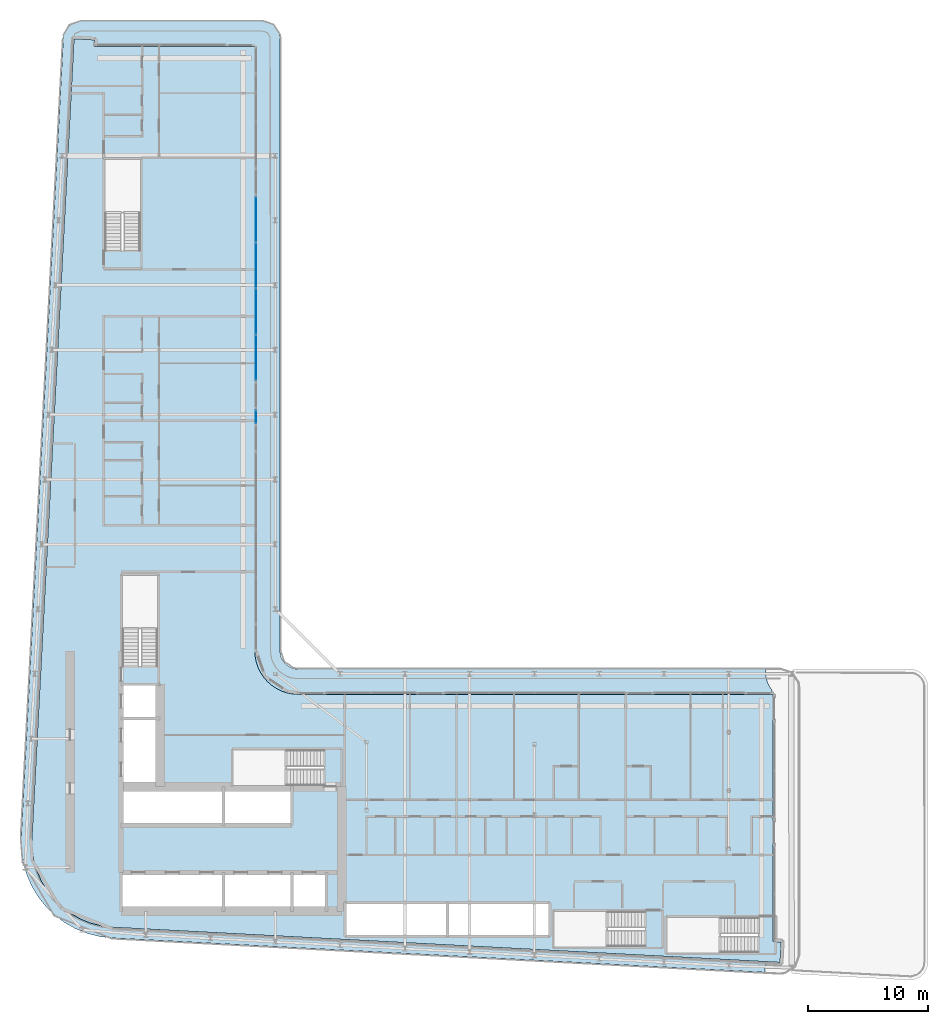
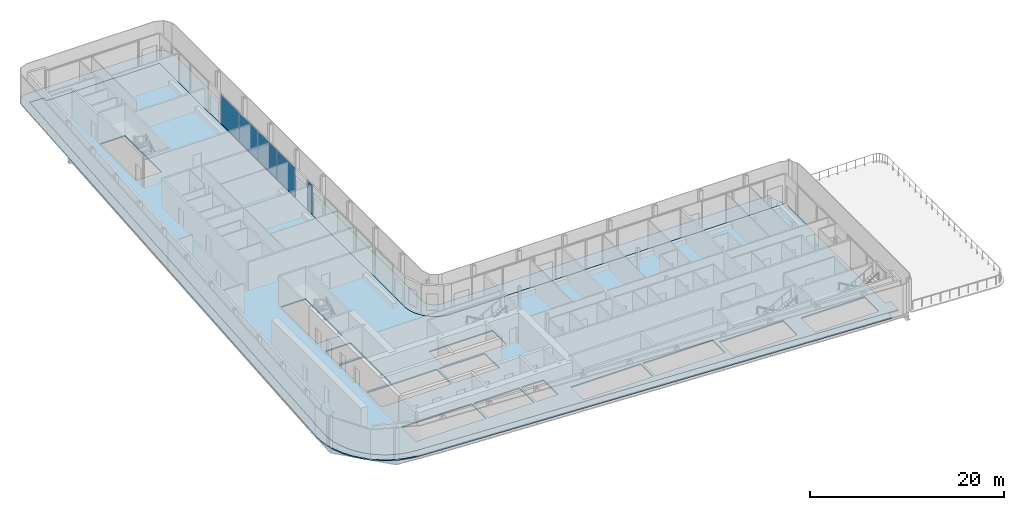
# One storey, part 11 of 27: 5 plates, 2 slabs, 3 elements without a shape of their own.
"""IFC4 building model written with IfcOpenShell, lengths in metres."""

from ifc_helpers import new_model, si_unit, direction, frame, origin, origin_2d, place, context, subcontext, project, spatial, polyline, rectangle, outline, extrude, material, layer, layer_set, type_object, element, aggregate, save


model = new_model("IFC4")

# Units and contexts
model_context = context("Model", 3, precision=1e-05, world=origin(), true_north=direction((0.0, 1.0)))
body_context = subcontext(model_context, "Body", "Model", "MODEL_VIEW")
ifc_project = project(units=[si_unit("LENGTHUNIT", "METRE"), si_unit("AREAUNIT", "SQUARE_METRE"), si_unit("VOLUMEUNIT", "CUBIC_METRE"), si_unit("PLANEANGLEUNIT", "RADIAN"), si_unit("MASSUNIT", "GRAM", prefix="KILO")], contexts=[model_context])

# Site, building, storey
site_placement = place(None, origin())
site = spatial("IfcSite", under=ifc_project, at=site_placement, CompositionType="ELEMENT")
building_placement = place(site_placement, origin())
building = spatial("IfcBuilding", under=site, at=building_placement, Name="Kheshtan School and Residences Tower", CompositionType="ELEMENT")
storey_placement = place(building_placement, frame((0.0, 0.0, 152.60009765625)))
storey = spatial("IfcBuildingStorey", under=building, at=storey_placement, Name="L35", CompositionType="ELEMENT", Elevation=152.60009765625)

# Curtain wall, plates
ifc_material_1 = material(Name="Clear low-e glass in thermally broken aluminium frame", Category="aluminium")
ifc_layer_1 = layer(ifc_material_1, 0.199951171875)
ifc_layer_set_1 = layer_set([ifc_layer_1], Name="Curtain wall CW-L")
curtain_wall_type = type_object("IfcCurtainWallType", Name="Curtain wall CW-L", PredefinedType="NOTDEFINED", material=ifc_layer_set_1)
curtain_wall_1_placement = place(storey_placement, origin())
curtain_wall_1 = element("IfcCurtainWall", 1, at=curtain_wall_1_placement, inside=storey, type_object=curtain_wall_type, Name="Curtain wall CWL8", PredefinedType="NOTDEFINED")
ifc_layer_2 = layer(ifc_material_1, 0.031982421875)
ifc_layer_set_2 = layer_set([ifc_layer_2], Name="CW-L glass panel")
plate_type = type_object("IfcPlateType", Name="CW-L glass panel", PredefinedType="CURTAIN_PANEL", material=ifc_layer_set_2)
plate_1_placement = place(storey_placement, frame((46.0, 83.467529296875, 0.0), z_axis=(0.0, 0.0, 1.0), x_axis=(0.0, -1.0, 0.0)))
plate_1 = element("IfcPlate", 2, at=plate_1_placement, type_object=plate_type, Name="CWL8 panel 1.1", PredefinedType="CURTAIN_PANEL", context=body_context, shape_type="SweptSolid", body=[
    extrude(rectangle(XDim=3.757080078125, YDim=0.031982421875, at=origin_2d()), origin(), (0.0, 0.0, 1.0), 3.6298828125),
])
plate_2_placement = place(storey_placement, frame((46.0, 79.650390625, 0.0), z_axis=(0.0, 0.0, 1.0), x_axis=(0.0, -1.0, 0.0)))
plate_2 = element("IfcPlate", 3, at=plate_2_placement, type_object=plate_type, Name="CWL8 panel 2.1", PredefinedType="CURTAIN_PANEL", context=body_context, shape_type="SweptSolid", body=[
    extrude(rectangle(XDim=3.757080078125, YDim=0.031982421875, at=origin_2d()), origin(), (0.0, 0.0, 1.0), 3.6298828125),
])
aggregate(curtain_wall_1, [plate_1, plate_2])

curtain_wall_2_placement = place(storey_placement, origin())
curtain_wall_2 = element("IfcCurtainWall", 4, at=curtain_wall_2_placement, inside=storey, type_object=curtain_wall_type, Name="Curtain wall CWL8", PredefinedType="NOTDEFINED")
plate_3_placement = place(storey_placement, frame((46.0, 75.803466796875, 0.0), z_axis=(0.0, 0.0, 1.0), x_axis=(0.0, -1.0, 0.0)))
plate_3 = element("IfcPlate", 5, at=plate_3_placement, type_object=plate_type, Name="CWL8 panel 1.1", PredefinedType="CURTAIN_PANEL", context=body_context, shape_type="SweptSolid", body=[
    extrude(rectangle(XDim=3.81689453125, YDim=0.031982421875, at=origin_2d()), origin(), (0.0, 0.0, 1.0), 3.6298828125),
])
plate_4_placement = place(storey_placement, frame((46.0, 71.95654296875, 0.0), z_axis=(0.0, 0.0, 1.0), x_axis=(0.0, -1.0, 0.0)))
plate_4 = element("IfcPlate", 6, at=plate_4_placement, type_object=plate_type, Name="CWL8 panel 2.1", PredefinedType="CURTAIN_PANEL", context=body_context, shape_type="SweptSolid", body=[
    extrude(rectangle(XDim=3.757080078125, YDim=0.031982421875, at=origin_2d()), origin(), (0.0, 0.0, 1.0), 3.6298828125),
])
aggregate(curtain_wall_2, [plate_3, plate_4])

# Curtain wall, plate
curtain_wall_3_placement = place(storey_placement, origin())
curtain_wall_3 = element("IfcCurtainWall", 7, at=curtain_wall_3_placement, inside=storey, type_object=curtain_wall_type, Name="Curtain wall CWL8g", PredefinedType="NOTDEFINED")
plate_5_placement = place(storey_placement, frame((46.0, 67.01806640625, 0.0), z_axis=(0.0, 0.0, 1.0), x_axis=(0.0, -1.0, 0.0)))
plate_5 = element("IfcPlate", 8, at=plate_5_placement, type_object=plate_type, Name="CWL8g panel 1.1", PredefinedType="CURTAIN_PANEL", context=body_context, shape_type="SweptSolid", body=[
    extrude(rectangle(XDim=1.080078125, YDim=0.031982421875, at=origin_2d()), origin(), (0.0, 0.0, 1.0), 3.6298828125),
])
aggregate(curtain_wall_3, [plate_5])

# Slabs
ifc_material_2 = material(Name="Concrete C40/50", Category="concrete")
ifc_layer_3 = layer(ifc_material_2, 0.14990234375)
ifc_layer_set_3 = layer_set([ifc_layer_3], Name="Floor slab 150 Concrete C40/50")
slab_type_1 = type_object("IfcSlabType", Name="Floor slab 150 Concrete C40/50", PredefinedType="FLOOR", material=ifc_layer_set_3)
slab_1_placement = place(storey_placement, frame((0.0, 0.0, -0.150146484375)))
element("IfcSlab", 9, at=slab_1_placement, inside=storey, type_object=slab_type_1, Name="Floor slab L35", PredefinedType="FLOOR", context=body_context, shape_type="SweptSolid", body=[
    extrude(outline(polyline([(27.718017578125, 29.200927734375), (27.466064453125, 30.093017578125), (27.466064453125, 30.093994140625), (27.3330078125, 31.013916015625), (27.320068359375, 31.965087890625), (27.320068359375, 31.970947265625), (30.822021484375, 98.5009765625), (30.822998046875, 98.508056640625), (30.825927734375, 98.531005859375), (30.825927734375, 98.531982421875), (30.826904296875, 98.531982421875), (31.422119140625, 98.5), (31.423095703125, 98.5), (31.423095703125, 98.4990234375), (31.423095703125, 98.4951171875), (31.423095703125, 98.493896484375), (31.424072265625, 98.493896484375), (31.424072265625, 98.492919921875), (31.425048828125, 98.492919921875), (31.426025390625, 98.492919921875), (31.426025390625, 98.493896484375), (31.427978515625, 98.49609375), (31.428955078125, 98.4970703125), (31.429931640625, 98.498046875), (31.430908203125, 98.498046875), (31.430908203125, 98.4990234375), (31.431884765625, 98.4990234375), (31.431884765625, 98.5), (31.43505859375, 98.5009765625), (31.43603515625, 98.501953125), (31.43896484375, 98.501953125), (31.43994140625, 98.501953125), (31.43994140625, 98.5029296875), (31.44091796875, 98.5029296875), (31.446044921875, 98.5029296875), (32.5009765625, 98.447021484375), (32.50390625, 98.447021484375), (32.5048828125, 98.447021484375), (32.5048828125, 98.446044921875), (32.506103515625, 98.446044921875), (32.510009765625, 98.446044921875), (32.510009765625, 98.445068359375), (32.510986328125, 98.445068359375), (32.510986328125, 98.444091796875), (32.511962890625, 98.444091796875), (32.511962890625, 98.443115234375), (32.512939453125, 98.443115234375), (32.513916015625, 98.443115234375), (32.513916015625, 98.44189453125), (32.514892578125, 98.44189453125), (32.51611328125, 98.44189453125), (32.51904296875, 98.43896484375), (32.51904296875, 98.43798828125), (32.51904296875, 98.43701171875), (32.52001953125, 98.43701171875), (32.52001953125, 98.43603515625), (32.52099609375, 98.43603515625), (32.52099609375, 98.43408203125), (32.52099609375, 98.43310546875), (32.52197265625, 98.43310546875), (32.52197265625, 98.431884765625), (32.52294921875, 98.431884765625), (32.52294921875, 98.430908203125), (32.52294921875, 98.428955078125), (32.52294921875, 98.427978515625), (32.52392578125, 98.427978515625), (32.52392578125, 98.427001953125), (32.52392578125, 98.422119140625), (32.4970703125, 97.9208984375), (32.4970703125, 97.91796875), (32.4970703125, 97.9169921875), (32.49609375, 97.9169921875), (32.49609375, 97.916015625), (32.49609375, 97.912109375), (32.4951171875, 97.910888671875), (32.4951171875, 97.909912109375), (32.493896484375, 97.909912109375), (32.493896484375, 97.908935546875), (32.492919921875, 97.908935546875), (32.492919921875, 97.907958984375), (32.489013671875, 97.904052734375), (32.488037109375, 97.904052734375), (32.488037109375, 97.903076171875), (32.488037109375, 97.902099609375), (32.488037109375, 97.90087890625), (32.489013671875, 97.90087890625), (32.489013671875, 97.89990234375), (32.489990234375, 97.89990234375), (45.85498046875, 97.89990234375), (45.864990234375, 97.89794921875), (45.865966796875, 97.89794921875), (45.868896484375, 97.89599609375), (45.8740234375, 97.89404296875), (45.8779296875, 97.89208984375), (45.881103515625, 97.889892578125), (45.881103515625, 97.888916015625), (45.882080078125, 97.888916015625), (45.882080078125, 97.887939453125), (45.883056640625, 97.887939453125), (45.884033203125, 97.885009765625), (45.885009765625, 97.885009765625), (45.885009765625, 97.884033203125), (45.887939453125, 97.883056640625), (45.887939453125, 97.882080078125), (45.888916015625, 97.882080078125), (45.888916015625, 97.881103515625), (45.889892578125, 97.881103515625), (45.89208984375, 97.8779296875), (45.89404296875, 97.8740234375), (45.89599609375, 97.868896484375), (45.89794921875, 97.865966796875), (45.89794921875, 97.864990234375), (45.89990234375, 97.85498046875), (45.89990234375, 47.429931640625), (45.927001953125, 47.030029296875), (46.01806640625, 46.570068359375), (46.01806640625, 46.569091796875), (46.169921875, 46.1201171875), (46.37890625, 45.697021484375), (46.638916015625, 45.30810546875), (46.949951171875, 44.950927734375), (46.950927734375, 44.949951171875), (47.30810546875, 44.638916015625), (47.697021484375, 44.37890625), (48.1201171875, 44.169921875), (48.569091796875, 44.01806640625), (48.570068359375, 44.01806640625), (49.030029296875, 43.927001953125), (49.429931640625, 43.89990234375), (89.054931640625, 43.89990234375), (89.06494140625, 43.89794921875), (89.06591796875, 43.89794921875), (89.069091796875, 43.89599609375), (89.073974609375, 43.89404296875), (89.077880859375, 43.89208984375), (89.0810546875, 43.889892578125), (89.0810546875, 43.888916015625), (89.08203125, 43.888916015625), (89.08203125, 43.887939453125), (89.0830078125, 43.887939453125), (89.083984375, 43.885009765625), (89.0849609375, 43.885009765625), (89.0849609375, 43.884033203125), (89.087890625, 43.883056640625), (89.087890625, 43.882080078125), (89.089111328125, 43.882080078125), (89.089111328125, 43.881103515625), (89.090087890625, 43.881103515625), (89.092041015625, 43.8779296875), (89.093994140625, 43.8740234375), (89.095947265625, 43.868896484375), (89.097900390625, 43.865966796875), (89.097900390625, 43.864990234375), (89.10009765625, 43.85498046875), (89.10009765625, 23.278076171875), (89.10009765625, 23.277099609375), (89.10107421875, 23.277099609375), (89.10107421875, 23.27587890625), (89.10205078125, 23.27587890625), (89.10302734375, 23.27587890625), (89.10302734375, 23.277099609375), (89.10498046875, 23.279052734375), (89.10595703125, 23.280029296875), (89.10693359375, 23.281005859375), (89.10791015625, 23.281005859375), (89.10791015625, 23.281982421875), (89.10888671875, 23.281982421875), (89.10888671875, 23.282958984375), (89.110107421875, 23.282958984375), (89.112060546875, 23.283935546875), (89.113037109375, 23.284912109375), (89.115966796875, 23.284912109375), (89.116943359375, 23.284912109375), (89.116943359375, 23.285888671875), (89.117919921875, 23.285888671875), (89.123046875, 23.285888671875), (89.738037109375, 23.2529296875), (89.740966796875, 23.2529296875), (89.741943359375, 23.2529296875), (89.741943359375, 23.251953125), (89.742919921875, 23.251953125), (89.7470703125, 23.251953125), (89.7470703125, 23.2509765625), (89.748046875, 23.2509765625), (89.748046875, 23.25), (89.7490234375, 23.25), (89.7490234375, 23.2490234375), (89.75, 23.2490234375), (89.7509765625, 23.2490234375), (89.7509765625, 23.248046875), (89.751953125, 23.248046875), (89.7529296875, 23.248046875), (89.7529296875, 23.2470703125), (89.7548828125, 23.2451171875), (89.756103515625, 23.2451171875), (89.756103515625, 23.243896484375), (89.756103515625, 23.242919921875), (89.757080078125, 23.242919921875), (89.757080078125, 23.241943359375), (89.758056640625, 23.241943359375), (89.758056640625, 23.239990234375), (89.758056640625, 23.239013671875), (89.759033203125, 23.239013671875), (89.759033203125, 23.238037109375), (89.760009765625, 23.238037109375), (89.760009765625, 23.237060546875), (89.760009765625, 23.235107421875), (89.760009765625, 23.23388671875), (89.760986328125, 23.23388671875), (89.760986328125, 23.23291015625), (89.760986328125, 23.22802734375), (89.705078125, 22.169921875), (89.705078125, 22.1669921875), (89.705078125, 22.166015625), (89.7041015625, 22.166015625), (89.7041015625, 22.1650390625), (89.7041015625, 22.160888671875), (89.702880859375, 22.159912109375), (89.702880859375, 22.158935546875), (89.701904296875, 22.158935546875), (89.701904296875, 22.157958984375), (89.700927734375, 22.157958984375), (89.700927734375, 22.156982421875), (89.699951171875, 22.156005859375), (89.697998046875, 22.154052734375), (89.697021484375, 22.153076171875), (89.696044921875, 22.153076171875), (89.696044921875, 22.152099609375), (89.696044921875, 22.15087890625), (89.696044921875, 22.14990234375), (89.697021484375, 22.14990234375), (89.697021484375, 22.14892578125), (89.697998046875, 22.14892578125), (89.698974609375, 22.14892578125), (89.699951171875, 22.14892578125), (89.699951171875, 22.14794921875), (89.66796875, 21.553955078125), (89.66796875, 21.552978515625), (89.6669921875, 21.552978515625), (89.64306640625, 21.552001953125), (89.637939453125, 21.552001953125), (34.056884765625, 24.47802734375), (33.114990234375, 24.590087890625), (32.215087890625, 24.819091796875), (32.214111328125, 24.819091796875), (31.35205078125, 25.1630859375), (30.541015625, 25.616943359375), (29.799072265625, 26.1708984375), (29.799072265625, 26.172119140625), (29.798095703125, 26.172119140625), (29.134033203125, 26.820068359375), (29.134033203125, 26.821044921875), (29.133056640625, 26.821044921875), (28.55908203125, 27.550048828125), (28.0849609375, 28.345947265625), (27.718017578125, 29.200927734375)]), holes=[polyline([(89.10009765625, 22.155029296875), (89.10009765625, 22.15087890625), (89.10009765625, 22.14990234375), (89.10107421875, 22.14990234375), (89.10107421875, 22.14892578125), (89.10205078125, 22.14892578125), (89.10595703125, 22.14892578125), (89.10693359375, 22.14892578125), (89.10693359375, 22.14990234375), (89.10791015625, 22.14990234375), (89.10791015625, 22.15087890625), (89.10791015625, 22.152099609375), (89.10693359375, 22.152099609375), (89.10595703125, 22.153076171875), (89.10498046875, 22.154052734375), (89.10400390625, 22.155029296875), (89.10302734375, 22.156005859375), (89.10302734375, 22.156982421875), (89.10205078125, 22.156982421875), (89.10107421875, 22.156982421875), (89.10107421875, 22.156005859375), (89.10009765625, 22.156005859375), (89.10009765625, 22.155029296875)]), polyline([(31.423095703125, 97.906005859375), (31.423095703125, 97.902099609375), (31.423095703125, 97.90087890625), (31.424072265625, 97.90087890625), (31.424072265625, 97.89990234375), (31.425048828125, 97.89990234375), (31.428955078125, 97.89990234375), (31.429931640625, 97.89990234375), (31.429931640625, 97.90087890625), (31.430908203125, 97.90087890625), (31.430908203125, 97.902099609375), (31.430908203125, 97.903076171875), (31.429931640625, 97.903076171875), (31.428955078125, 97.904052734375), (31.427978515625, 97.905029296875), (31.427001953125, 97.906005859375), (31.426025390625, 97.906982421875), (31.426025390625, 97.907958984375), (31.425048828125, 97.907958984375), (31.424072265625, 97.907958984375), (31.424072265625, 97.906982421875), (31.423095703125, 97.906982421875), (31.423095703125, 97.906005859375)]), polyline([(34.875, 28.925048828125), (34.875, 25.925048828125), (43.175048828125, 25.925048828125), (43.175048828125, 28.925048828125), (34.875, 28.925048828125)]), polyline([(43.425048828125, 25.925048828125), (48.875, 25.925048828125), (48.875, 28.925048828125), (43.425048828125, 28.925048828125), (43.425048828125, 25.925048828125)]), polyline([(43.175048828125, 36.074951171875), (34.875, 36.074951171875), (34.875, 33.074951171875), (43.175048828125, 33.074951171875), (43.175048828125, 36.074951171875)]), polyline([(34.875, 41.77490234375), (34.875, 36.324951171875), (37.875, 36.324951171875), (37.875, 41.77490234375), (34.875, 41.77490234375)]), polyline([(34.875, 44.625), (34.875, 42.02490234375), (37.875, 42.02490234375), (37.875, 44.625), (34.875, 44.625)]), polyline([(37.800048828125, 46.25), (37.800048828125, 53.81005859375), (34.85009765625, 53.81005859375), (34.85009765625, 46.260009765625), (36.25, 46.260009765625), (36.25, 46.25), (37.800048828125, 46.25)]), polyline([(33.39990234375, 88.4599609375), (33.39990234375, 80.909912109375), (34.800048828125, 80.909912109375), (34.800048828125, 80.89990234375), (36.35009765625, 80.89990234375), (36.35009765625, 88.4599609375), (33.39990234375, 88.4599609375)]), polyline([(87.81005859375, 22.35009765625), (87.81005859375, 23.75), (87.820068359375, 23.75), (87.820068359375, 25.300048828125), (80.260009765625, 25.300048828125), (80.260009765625, 22.35009765625), (87.81005859375, 22.35009765625)]), polyline([(70.85009765625, 22.85009765625), (78.39990234375, 22.85009765625), (78.39990234375, 24.25), (78.409912109375, 24.25), (78.409912109375, 25.800048828125), (70.85009765625, 25.800048828125), (70.85009765625, 22.85009765625)]), polyline([(61.824951171875, 26.425048828125), (53.52490234375, 26.425048828125), (53.52490234375, 23.824951171875), (61.824951171875, 23.824951171875), (61.824951171875, 26.425048828125)]), polyline([(62.074951171875, 23.824951171875), (70.375, 23.824951171875), (70.375, 26.425048828125), (62.074951171875, 26.425048828125), (62.074951171875, 23.824951171875)]), polyline([(49.125, 28.925048828125), (49.125, 25.925048828125), (51.72509765625, 25.925048828125), (51.72509765625, 28.925048828125), (49.125, 28.925048828125)]), polyline([(43.425048828125, 33.074951171875), (48.875, 33.074951171875), (48.875, 36.074951171875), (43.425048828125, 36.074951171875), (43.425048828125, 33.074951171875)]), polyline([(51.64990234375, 39.25), (44.090087890625, 39.25), (44.090087890625, 36.300048828125), (51.639892578125, 36.300048828125), (51.639892578125, 37.699951171875), (51.64990234375, 37.699951171875), (51.64990234375, 39.25)])]), origin(), (0.0, 0.0, 1.0), 0.150146484375),
])
ifc_layer_4 = layer(ifc_material_2, 0.14990234375)
ifc_layer_set_4 = layer_set([ifc_layer_4], Name="Loggia balcony slab 150 Concrete C40/50")
slab_type_2 = type_object("IfcSlabType", Name="Loggia balcony slab 150 Concrete C40/50", PredefinedType="FLOOR", material=ifc_layer_set_4)
slab_2_placement = place(storey_placement, frame((0.0, 0.0, -0.150146484375)))
element("IfcSlab", 10, at=slab_2_placement, inside=storey, type_object=slab_type_2, Name="Loggia balcony slab L35", PredefinedType="FLOOR", context=body_context, shape_type="SweptSolid", body=[
    extrude(outline(polyline([(28.4609375, 26.219970703125), (28.4599609375, 26.219970703125), (28.4599609375, 26.220947265625), (28.458984375, 26.220947265625), (27.81494140625, 27.0390625), (27.281005859375, 27.93798828125), (26.867919921875, 28.89990234375), (26.583984375, 29.903076171875), (26.583984375, 29.906982421875), (26.43408203125, 30.943115234375), (26.419921875, 31.989013671875), (29.925048828125, 98.5791015625), (29.930908203125, 98.626953125), (29.930908203125, 98.6279296875), (29.929931640625, 98.6279296875), (29.929931640625, 98.62890625), (29.928955078125, 98.62890625), (29.928955078125, 98.6298828125), (29.927978515625, 98.6298828125), (29.927978515625, 98.631103515625), (29.927001953125, 98.631103515625), (29.927001953125, 98.632080078125), (29.927001953125, 98.633056640625), (29.945068359375, 98.781005859375), (29.945068359375, 98.783935546875), (29.945068359375, 98.784912109375), (29.946044921875, 98.784912109375), (29.946044921875, 98.785888671875), (29.947021484375, 98.785888671875), (29.947021484375, 98.787109375), (29.947998046875, 98.787109375), (29.948974609375, 98.787109375), (29.948974609375, 98.7880859375), (29.949951171875, 98.7880859375), (30.0029296875, 98.98388671875), (30.083984375, 99.175048828125), (30.18896484375, 99.35302734375), (30.31396484375, 99.510009765625), (30.31494140625, 99.510009765625), (30.31494140625, 99.510986328125), (30.31591796875, 99.510986328125), (30.31591796875, 99.511962890625), (30.31689453125, 99.511962890625), (30.31689453125, 99.512939453125), (30.318115234375, 99.512939453125), (30.318115234375, 99.513916015625), (30.468017578125, 99.656982421875), (30.468994140625, 99.656982421875), (30.468994140625, 99.657958984375), (30.469970703125, 99.657958984375), (30.469970703125, 99.658935546875), (30.470947265625, 99.658935546875), (30.470947265625, 99.659912109375), (30.471923828125, 99.659912109375), (30.471923828125, 99.660888671875), (30.635986328125, 99.777099609375), (30.820068359375, 99.873046875), (31.010009765625, 99.943115234375), (31.013916015625, 99.943115234375), (31.217041015625, 99.986083984375), (31.423095703125, 100.0), (46.5, 100.0), (46.696044921875, 99.987060546875), (46.887939453125, 99.948974609375), (46.89208984375, 99.948974609375), (47.073974609375, 99.885986328125), (47.243896484375, 99.801025390625), (47.2451171875, 99.801025390625), (47.2470703125, 99.801025390625), (47.248046875, 99.801025390625), (47.248046875, 99.802001953125), (47.2490234375, 99.802001953125), (47.2490234375, 99.802978515625), (47.25, 99.802978515625), (47.2529296875, 99.802978515625), (47.25390625, 99.802978515625), (47.25390625, 99.802001953125), (47.2548828125, 99.802001953125), (47.2548828125, 99.801025390625), (47.256103515625, 99.801025390625), (47.256103515625, 99.800048828125), (47.257080078125, 99.800048828125), (47.257080078125, 99.799072265625), (47.258056640625, 99.799072265625), (47.258056640625, 99.798095703125), (47.412109375, 99.696044921875), (47.4130859375, 99.696044921875), (47.4130859375, 99.695068359375), (47.4140625, 99.695068359375), (47.4140625, 99.694091796875), (47.4140625, 99.68994140625), (47.4140625, 99.68896484375), (47.4150390625, 99.68896484375), (47.4150390625, 99.68798828125), (47.416015625, 99.68798828125), (47.416015625, 99.68701171875), (47.4169921875, 99.68701171875), (47.4169921875, 99.68603515625), (47.55810546875, 99.56494140625), (47.55810546875, 99.56396484375), (47.55908203125, 99.56396484375), (47.55908203125, 99.56298828125), (47.56005859375, 99.56298828125), (47.56005859375, 99.56201171875), (47.56103515625, 99.56201171875), (47.56201171875, 99.56103515625), (47.56201171875, 99.56005859375), (47.56298828125, 99.56005859375), (47.56298828125, 99.55908203125), (47.56396484375, 99.55908203125), (47.56396484375, 99.55810546875), (47.56494140625, 99.55810546875), (47.68505859375, 99.41796875), (47.68603515625, 99.41796875), (47.68603515625, 99.4169921875), (47.68701171875, 99.4169921875), (47.68701171875, 99.416015625), (47.68798828125, 99.416015625), (47.68798828125, 99.4150390625), (47.68896484375, 99.4150390625), (47.68896484375, 99.4140625), (47.68994140625, 99.4140625), (47.694091796875, 99.4140625), (47.695068359375, 99.4140625), (47.695068359375, 99.4130859375), (47.696044921875, 99.4130859375), (47.696044921875, 99.412109375), (47.797119140625, 99.259033203125), (47.798095703125, 99.259033203125), (47.798095703125, 99.258056640625), (47.799072265625, 99.258056640625), (47.799072265625, 99.257080078125), (47.800048828125, 99.257080078125), (47.800048828125, 99.256103515625), (47.801025390625, 99.256103515625), (47.801025390625, 99.2548828125), (47.802001953125, 99.2548828125), (47.802001953125, 99.25390625), (47.802978515625, 99.25390625), (47.802978515625, 99.2529296875), (47.802978515625, 99.25), (47.802978515625, 99.2490234375), (47.802001953125, 99.2490234375), (47.802001953125, 99.248046875), (47.801025390625, 99.248046875), (47.801025390625, 99.2470703125), (47.801025390625, 99.243896484375), (47.801025390625, 99.242919921875), (47.885986328125, 99.073974609375), (47.948974609375, 98.89208984375), (47.948974609375, 98.887939453125), (47.987060546875, 98.696044921875), (48.0, 98.5), (48.0, 47.5), (48.012939453125, 47.303955078125), (48.051025390625, 47.113037109375), (48.051025390625, 47.110107421875), (48.051025390625, 47.10888671875), (48.114013671875, 46.926025390625), (48.200927734375, 46.75), (48.31005859375, 46.5869140625), (48.43505859375, 46.44091796875), (48.43603515625, 46.44091796875), (48.43603515625, 46.43994140625), (48.43701171875, 46.43994140625), (48.43701171875, 46.43896484375), (48.43798828125, 46.43896484375), (48.43896484375, 46.43798828125), (48.43896484375, 46.43701171875), (48.43994140625, 46.43701171875), (48.43994140625, 46.43603515625), (48.44091796875, 46.43603515625), (48.44091796875, 46.43505859375), (48.5869140625, 46.31005859375), (48.75, 46.200927734375), (48.926025390625, 46.114013671875), (49.10888671875, 46.051025390625), (49.110107421875, 46.051025390625), (49.113037109375, 46.051025390625), (49.303955078125, 46.012939453125), (49.5, 46.0), (88.489990234375, 46.0), (88.490966796875, 46.0), (88.490966796875, 45.9990234375), (88.47705078125, 45.863037109375), (88.47607421875, 45.837890625), (88.47607421875, 45.662109375), (88.47705078125, 45.636962890625), (88.5048828125, 45.363037109375), (88.509033203125, 45.339111328125), (88.544921875, 45.1669921875), (88.551025390625, 45.14306640625), (88.551025390625, 45.138916015625), (88.551025390625, 45.137939453125), (88.60693359375, 44.9541015625), (88.614990234375, 44.930908203125), (88.72509765625, 44.669921875), (88.736083984375, 44.64794921875), (88.7939453125, 44.5400390625), (88.805908203125, 44.51904296875), (88.9560546875, 44.291015625), (88.970947265625, 44.27099609375), (89.0, 44.236083984375), (89.0, 43.90087890625), (89.0, 43.89990234375), (88.9990234375, 43.89990234375), (49.429931640625, 43.89990234375), (49.030029296875, 43.927001953125), (48.569091796875, 44.01806640625), (48.56494140625, 44.01806640625), (48.1201171875, 44.169921875), (47.697021484375, 44.37890625), (47.30810546875, 44.638916015625), (46.9541015625, 44.947021484375), (46.9541015625, 44.947998046875), (46.952880859375, 44.947998046875), (46.952880859375, 44.948974609375), (46.951904296875, 44.948974609375), (46.951904296875, 44.949951171875), (46.950927734375, 44.949951171875), (46.949951171875, 44.950927734375), (46.949951171875, 44.951904296875), (46.948974609375, 44.951904296875), (46.948974609375, 44.952880859375), (46.947998046875, 44.952880859375), (46.947998046875, 44.9541015625), (46.947021484375, 44.9541015625), (46.638916015625, 45.30810546875), (46.37890625, 45.697021484375), (46.169921875, 46.1201171875), (46.01806640625, 46.56494140625), (46.01806640625, 46.569091796875), (45.927001953125, 47.030029296875), (45.89990234375, 47.429931640625), (45.89990234375, 97.89794921875), (45.89990234375, 97.89892578125), (45.89892578125, 97.89892578125), (45.89892578125, 97.89990234375), (45.89794921875, 97.89990234375), (32.492919921875, 97.89990234375), (32.491943359375, 97.89990234375), (32.52099609375, 98.43994140625), (32.52099609375, 98.44091796875), (32.52001953125, 98.44091796875), (32.52001953125, 98.44189453125), (32.51904296875, 98.44189453125), (32.51806640625, 98.44189453125), (30.827880859375, 98.531982421875), (30.826904296875, 98.531982421875), (30.826904296875, 98.531005859375), (30.825927734375, 98.531005859375), (30.825927734375, 98.530029296875), (30.825927734375, 98.529052734375), (30.822021484375, 98.5009765625), (27.320068359375, 31.970947265625), (27.3330078125, 31.013916015625), (27.466064453125, 30.093994140625), (27.466064453125, 30.091064453125), (27.466064453125, 30.090087890625), (27.718017578125, 29.200927734375), (28.0849609375, 28.345947265625), (28.55908203125, 27.550048828125), (29.1298828125, 26.822998046875), (29.131103515625, 26.822998046875), (29.131103515625, 26.822021484375), (29.132080078125, 26.822021484375), (29.132080078125, 26.821044921875), (29.133056640625, 26.821044921875), (29.133056640625, 26.820068359375), (29.134033203125, 26.820068359375), (29.798095703125, 26.173095703125), (29.798095703125, 26.172119140625), (29.799072265625, 26.172119140625), (29.799072265625, 26.1708984375), (29.800048828125, 26.1708984375), (29.800048828125, 26.169921875), (29.801025390625, 26.169921875), (29.801025390625, 26.1689453125), (30.541015625, 25.616943359375), (31.35205078125, 25.1630859375), (32.2119140625, 24.819091796875), (32.212890625, 24.819091796875), (32.216064453125, 24.819091796875), (33.114990234375, 24.590087890625), (34.06591796875, 24.47705078125), (88.533935546875, 21.610107421875), (88.534912109375, 21.610107421875), (88.534912109375, 21.60888671875), (88.534912109375, 21.60498046875), (88.48193359375, 21.4541015625), (88.48193359375, 21.452880859375), (88.48193359375, 21.448974609375), (88.47607421875, 21.425048828125), (88.443115234375, 21.26806640625), (88.43896484375, 21.2451171875), (88.4140625, 21.051025390625), (88.412109375, 21.027099609375), (88.406005859375, 20.751953125), (88.406982421875, 20.72802734375), (88.407958984375, 20.717041015625), (88.407958984375, 20.716064453125), (33.989013671875, 23.580078125), (33.94091796875, 23.5859375), (33.93994140625, 23.5859375), (33.93994140625, 23.5849609375), (33.93896484375, 23.5849609375), (33.93896484375, 23.583984375), (33.93798828125, 23.583984375), (33.93798828125, 23.5830078125), (33.93701171875, 23.5830078125), (33.93701171875, 23.58203125), (33.93603515625, 23.58203125), (33.93505859375, 23.58203125), (32.952880859375, 23.697998046875), (32.949951171875, 23.697998046875), (32.948974609375, 23.697998046875), (32.948974609375, 23.698974609375), (32.947998046875, 23.698974609375), (32.947998046875, 23.699951171875), (32.947021484375, 23.699951171875), (32.947021484375, 23.700927734375), (32.947021484375, 23.702880859375), (32.947021484375, 23.7041015625), (32.946044921875, 23.7041015625), (32.946044921875, 23.705078125), (32.945068359375, 23.705078125), (32.944091796875, 23.705078125), (31.93603515625, 23.9609375), (31.931884765625, 23.9609375), (30.964111328125, 24.34912109375), (30.051025390625, 24.860107421875), (29.216064453125, 25.48193359375), (29.216064453125, 25.48291015625), (29.215087890625, 25.48291015625), (29.215087890625, 25.48388671875), (29.214111328125, 25.48388671875), (29.214111328125, 25.485107421875), (29.212890625, 25.485107421875), (29.212890625, 25.486083984375), (29.2119140625, 25.486083984375), (28.462890625, 26.217041015625), (28.462890625, 26.218017578125), (28.4619140625, 26.218017578125), (28.4619140625, 26.218994140625), (28.4609375, 26.218994140625), (28.4609375, 26.219970703125)])), origin(), (0.0, 0.0, 1.0), 0.150146484375),
])

save(model, "model.ifc")
